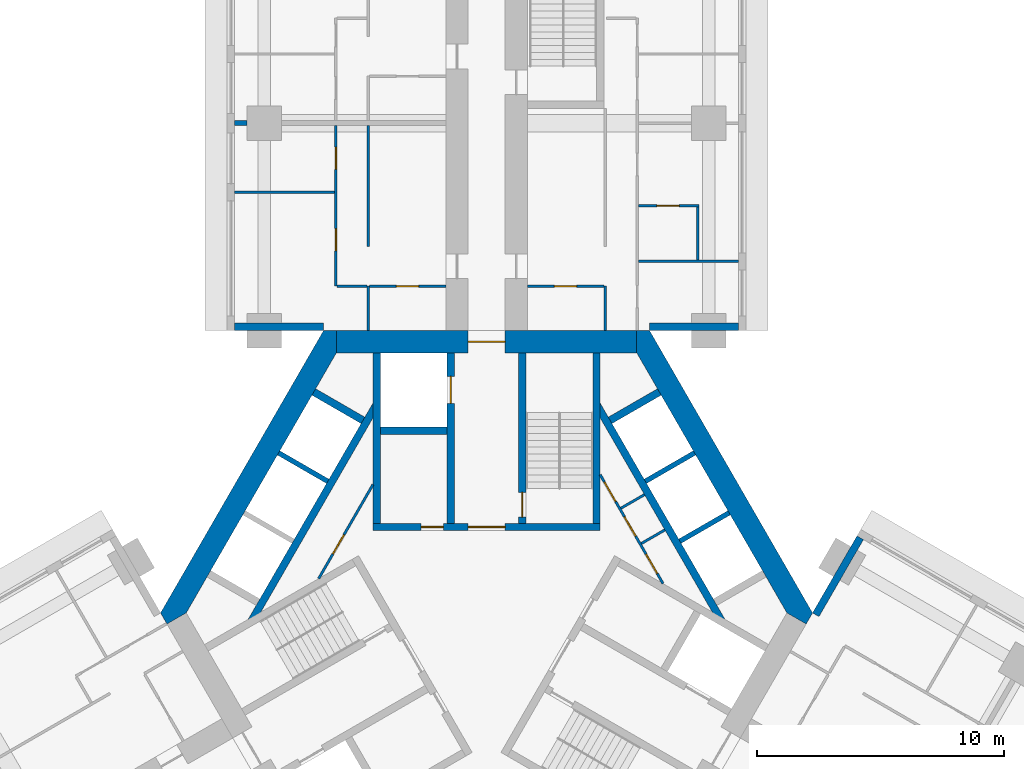
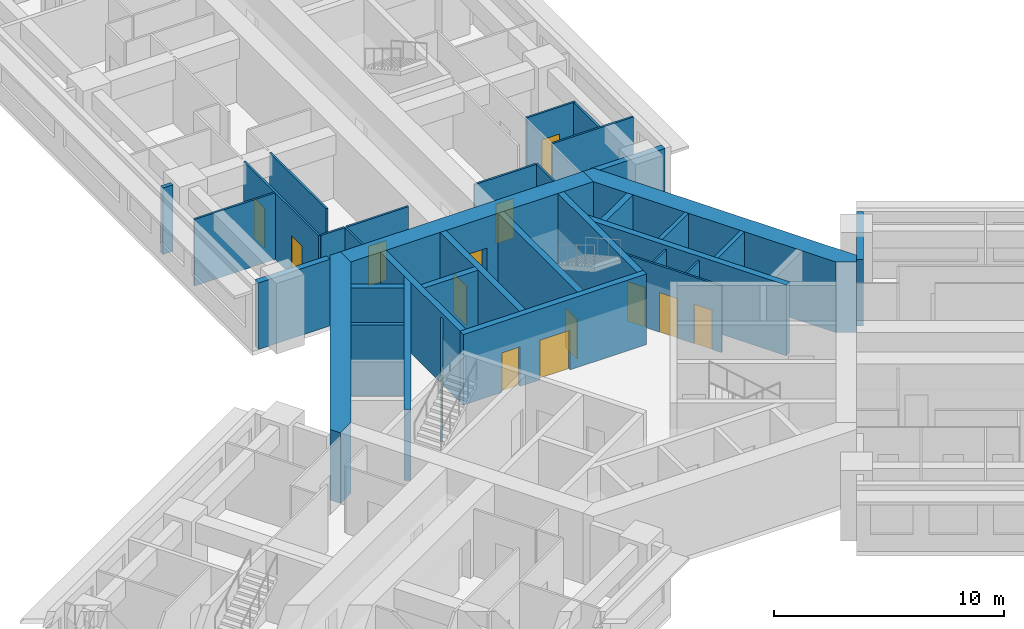
# One storey, part 8 of 16: 35 walls, 14 doors, 14 openings.
"""IFC4 building model written with IfcOpenShell, lengths in metres."""

from ifc_helpers import new_model, si_unit, direction, frame, frame_2d, origin, place, context, subcontext, project, spatial, polyline, rectangle, outline, extrude, material, layer, layer_set, type_object, element, fill, save


model = new_model("IFC4")

# Units and contexts
model_context = context("Model", 3, precision=1e-05, world=origin(), true_north=direction((0.0, 1.0)))
body_context = subcontext(model_context, "Body", "Model", "MODEL_VIEW")
ifc_project = project(units=[si_unit("LENGTHUNIT", "METRE"), si_unit("AREAUNIT", "SQUARE_METRE"), si_unit("VOLUMEUNIT", "CUBIC_METRE"), si_unit("PLANEANGLEUNIT", "RADIAN"), si_unit("MASSUNIT", "GRAM", prefix="KILO")], contexts=[model_context])

# Site, building, storey
site_placement = place(None, origin())
site = spatial("IfcSite", under=ifc_project, at=site_placement, CompositionType="ELEMENT")
building_placement = place(site_placement, origin())
building = spatial("IfcBuilding", under=site, at=building_placement, Name="Impinga Residences", CompositionType="ELEMENT")
storey_placement = place(building_placement, frame((0.0, 0.0, 56.0)))
storey = spatial("IfcBuildingStorey", under=building, at=storey_placement, Name="L13", CompositionType="ELEMENT", Elevation=56.0)

# Wall, openings, doors
ifc_material_1 = material(Name="Concrete blockwork", Category="masonry")
ifc_layer_1 = layer(ifc_material_1, 0.10009765625)
ifc_layer_set_1 = layer_set([ifc_layer_1], Name="CP1 core room partition, blockwork 100")
wall_type_1 = type_object("IfcWallType", Name="CP1 core room partition, blockwork 100", PredefinedType="PARTITIONING", material=ifc_layer_set_1)
wall_1_placement = place(storey_placement, frame((4.60009765625, 5.595703125, 0.0), z_axis=(0.0, 0.0, 1.0), x_axis=(0.499975622669, -0.866039477586, 0.0)))
wall_1 = element("IfcWall", 1, at=wall_1_placement, inside=storey, type_object=wall_type_1, Name="Core room partition, blockwork L13:CORE:mid:FP", PredefinedType="PARTITIONING", context=body_context, shape_type="SweptSolid", body=[
    extrude(rectangle(XDim=5.092041015625, YDim=0.10009765625, at=frame_2d((2.5458984375, 0.0))), origin(), (0.0, 0.0, 1.0), 3.530029296875),
])
opening_1_placement = place(wall_1_placement, frame((0.347900390625, 0.0, 0.0)))
opening_1 = element("IfcOpeningElement", 2, at=opening_1_placement, cuts=wall_1, Name="Opening D6", PredefinedType="OPENING", context=body_context, shape_type="SweptSolid", body=[
    extrude(rectangle(XDim=0.89990234375, YDim=2.10009765625, at=frame_2d((0.449951171875, 1.050048828125))), frame((0.0, 0.06005859375, 0.0), z_axis=(0.0, -1.0, 0.0), x_axis=(1.0, 0.0, 0.0)), (0.0, 0.0, 1.0), 0.1201171875),
])
opening_2_placement = place(wall_1_placement, frame((1.970947265625, 0.0, 0.0)))
opening_2 = element("IfcOpeningElement", 3, at=opening_2_placement, cuts=wall_1, Name="Opening D6", PredefinedType="OPENING", context=body_context, shape_type="SweptSolid", body=[
    extrude(rectangle(XDim=0.89990234375, YDim=2.10009765625, at=frame_2d((0.449951171875, 1.050048828125))), frame((0.0, 0.06005859375, 0.0), z_axis=(0.0, -1.0, 0.0), x_axis=(1.0, 0.0, 0.0)), (0.0, 0.0, 1.0), 0.1201171875),
])
opening_3_placement = place(wall_1_placement, frame((3.718994140625, 0.0, 0.0)))
opening_3 = element("IfcOpeningElement", 4, at=opening_3_placement, cuts=wall_1, Name="Opening D6", PredefinedType="OPENING", context=body_context, shape_type="SweptSolid", body=[
    extrude(rectangle(XDim=0.89990234375, YDim=2.10009765625, at=frame_2d((0.449951171875, 1.050048828125))), frame((0.0, 0.06005859375, 0.0), z_axis=(0.0, -1.0, 0.0), x_axis=(1.0, 0.0, 0.0)), (0.0, 0.0, 1.0), 0.1201171875),
])
ifc_material_2 = material(Name="Timber door set", Category="wood")
door_type_1 = type_object("IfcDoorType", Name="D6 riser and store door 900x2100", OperationType="SINGLE_SWING_LEFT", PredefinedType="DOOR", material=ifc_material_2)
door_1_placement = place(opening_1_placement, origin())
door_1 = element("IfcDoor", 5, at=door_1_placement, inside=storey, type_object=door_type_1, Name="Comms cupboard door", OperationType="SINGLE_SWING_LEFT", OverallHeight=2.10009765625, OverallWidth=0.89990234375, PredefinedType="DOOR", context=body_context, shape_type="SweptSolid", body=[
    extrude(rectangle(XDim=0.89990234375, YDim=2.10009765625, at=frame_2d((0.449951171875, 1.050048828125))), frame((0.0, 0.02490234375, 0.0), z_axis=(0.0, -1.0, 0.0), x_axis=(1.0, 0.0, 0.0)), (0.0, 0.0, 1.0), 0.050048828125),
])
fill(opening_1, door_1)
door_2_placement = place(opening_2_placement, origin())
door_2 = element("IfcDoor", 6, at=door_2_placement, inside=storey, type_object=door_type_1, Name="Refuse room door", OperationType="SINGLE_SWING_LEFT", OverallHeight=2.10009765625, OverallWidth=0.89990234375, PredefinedType="DOOR", context=body_context, shape_type="SweptSolid", body=[
    extrude(rectangle(XDim=0.89990234375, YDim=2.10009765625, at=frame_2d((0.449951171875, 1.050048828125))), frame((0.0, 0.02490234375, 0.0), z_axis=(0.0, -1.0, 0.0), x_axis=(1.0, 0.0, 0.0)), (0.0, 0.0, 1.0), 0.050048828125),
])
fill(opening_2, door_2)
door_3_placement = place(opening_3_placement, origin())
door_3 = element("IfcDoor", 7, at=door_3_placement, inside=storey, type_object=door_type_1, Name="Cleaners' store door", OperationType="SINGLE_SWING_RIGHT", OverallHeight=2.10009765625, OverallWidth=0.89990234375, PredefinedType="DOOR", context=body_context, shape_type="SweptSolid", body=[
    extrude(rectangle(XDim=0.89990234375, YDim=2.10009765625, at=frame_2d((0.449951171875, 1.050048828125))), frame((0.0, 0.02490234375, 0.0), z_axis=(0.0, -1.0, 0.0), x_axis=(1.0, 0.0, 0.0)), (0.0, 0.0, 1.0), 0.050048828125),
])
fill(opening_3, door_3)

# Walls
for number, where, z_axis, x_axis, name in (
    (8, (5.441162109375, 4.238525390625, 0.0), (0.0, 0.0, 1.0), (0.866008176907, 0.50002983664, 0.0), "Core room partition, blockwork L13:CORE:mid:FS1"),
    (9, (6.266357421875, 2.8095703125, 0.0), (0.0, 0.0, 1.0), (0.866008176907, 0.50002983664, 0.0), "Core room partition, blockwork L13:CORE:mid:FS2"),
):
    element("IfcWall", number, at=place(storey_placement, frame(where, z_axis=z_axis, x_axis=x_axis)), inside=storey, type_object=wall_type_1, Name=name, PredefinedType="PARTITIONING", context=body_context, shape_type="SweptSolid", body=[
        extrude(rectangle(XDim=1.10009765625, YDim=0.10009765625, at=frame_2d((0.550048828125, 0.0))), origin(), (0.0, 0.0, 1.0), 3.530029296875),
    ])

# Wall, opening, door
wall_2_placement = place(storey_placement, frame((-6.799560546875, 1.385986328125, 0.0), z_axis=(0.0, 0.0, 1.0), x_axis=(0.500001098885, 0.866024769342, 0.0)))
wall_2 = element("IfcWall", 10, at=wall_2_placement, inside=storey, type_object=wall_type_1, Name="Core room partition, blockwork L13:CORE:high:FP", PredefinedType="PARTITIONING", context=body_context, shape_type="SweptSolid", body=[
    extrude(rectangle(XDim=4.39892578125, YDim=0.10009765625, at=frame_2d((2.199462890625, 0.0))), origin(), (0.0, 0.0, 1.0), 3.530029296875),
])
opening_4_placement = place(wall_2_placement, frame((1.149658203125, 0.0, 0.0)))
opening_4 = element("IfcOpeningElement", 11, at=opening_4_placement, cuts=wall_2, Name="Opening D6", PredefinedType="OPENING", context=body_context, shape_type="SweptSolid", body=[
    extrude(rectangle(XDim=0.89990234375, YDim=2.10009765625, at=frame_2d((0.449951171875, 1.050048828125))), frame((0.0, 0.06005859375, 0.0), z_axis=(0.0, -1.0, 0.0), x_axis=(1.0, 0.0, 0.0)), (0.0, 0.0, 1.0), 0.1201171875),
])
door_4_placement = place(opening_4_placement, origin())
door_4 = element("IfcDoor", 12, at=door_4_placement, inside=storey, type_object=door_type_1, Name="Vending and ice room door", OperationType="SINGLE_SWING_LEFT", OverallHeight=2.10009765625, OverallWidth=0.89990234375, PredefinedType="DOOR", context=body_context, shape_type="SweptSolid", body=[
    extrude(rectangle(XDim=0.89990234375, YDim=2.10009765625, at=frame_2d((0.449951171875, 1.050048828125))), frame((0.0, 0.02490234375, 0.0), z_axis=(0.0, -1.0, 0.0), x_axis=(1.0, 0.0, 0.0)), (0.0, 0.0, 1.0), 0.050048828125),
])
fill(opening_4, door_4)

# Walls
ifc_material_3 = material(Name="Terracotta rainscreen on blockwork", Category="masonry")
ifc_layer_2 = layer(ifc_material_3, 0.300048828125)
ifc_layer_set_2 = layer_set([ifc_layer_2], Name="EW1 external wall, terracotta rainscreen on blockwork 300")
wall_type_2 = type_object("IfcWallType", Name="EW1 external wall, terracotta rainscreen on blockwork 300", PredefinedType="SOLIDWALL", material=ifc_layer_set_2)
for number, where, z_axis, x_axis, name in (
    (13, (-6.60009765625, 11.58154296875, 0.0), (0.0, 0.0, 1.0), (-1.0, 0.0, 0.0), "External wall EW1 L13"),
    (14, (10.199951171875, 11.58154296875, 0.0), (0.0, 0.0, 1.0), (-1.0, 0.0, 0.0), "External wall EW1 L13"),
):
    element("IfcWall", number, at=place(storey_placement, frame(where, z_axis=z_axis, x_axis=x_axis)), inside=storey, type_object=wall_type_2, Name=name, PredefinedType="SOLIDWALL", context=body_context, shape_type="SweptSolid", body=[
        extrude(rectangle(XDim=3.599853515625, YDim=0.300048828125, at=frame_2d((1.7998046875, 0.0))), origin(), (0.0, 0.0, 1.0), 3.530029296875),
    ])
wall_3_placement = place(storey_placement, frame((13.329833984375, -0.074951171875, 0.0), z_axis=(0.0, 0.0, 1.0), x_axis=(0.500012057535, 0.866018442252, 0.0)))
element("IfcWall", 15, at=wall_3_placement, inside=storey, type_object=wall_type_2, Name="External wall EW1 L13", PredefinedType="SOLIDWALL", context=body_context, shape_type="SweptSolid", body=[
    extrude(rectangle(XDim=3.60009765625, YDim=0.300048828125, at=frame_2d((1.800048828125, 0.0))), origin(), (0.0, 0.0, 1.0), 3.530029296875),
])
ifc_material_4 = material(Name="Gypsum board on steel studs", Category="steel")
ifc_layer_3 = layer(ifc_material_4, 0.10009765625)
ifc_layer_set_3 = layer_set([ifc_layer_3], Name="Gypsum board on steel studs")
wall_type_3 = type_object("IfcWallType", Name="IP1 partition 100", PredefinedType="PARTITIONING", material=ifc_layer_set_3)
wall_4_placement = place(storey_placement, frame((-4.800048828125, 11.431640625, 0.0), z_axis=(0.0, 0.0, 1.0), x_axis=(0.0, 1.0, 0.0)))
element("IfcWall", 16, at=wall_4_placement, inside=storey, type_object=wall_type_3, Name="Partition L13-NA1:DIV0", PredefinedType="PARTITIONING", context=body_context, shape_type="SweptSolid", body=[
    extrude(rectangle(XDim=1.7998046875, YDim=0.10009765625, at=frame_2d((0.89990234375, 0.0))), origin(), (0.0, 0.0, 1.0), 3.530029296875),
])
wall_5_placement = place(storey_placement, frame((-4.800048828125, 14.83154296875, 0.0), z_axis=(0.0, 0.0, 1.0), x_axis=(0.0, 1.0, 0.0)))
element("IfcWall", 17, at=wall_5_placement, inside=storey, type_object=wall_type_3, Name="Partition L13-NA1:DIV1", PredefinedType="PARTITIONING", context=body_context, shape_type="SweptSolid", body=[
    extrude(rectangle(XDim=4.89990234375, YDim=0.10009765625, at=frame_2d((2.449951171875, 0.0))), origin(), (0.0, 0.0, 1.0), 3.530029296875),
])

# Wall, openings, doors
wall_6_placement = place(storey_placement, frame((-6.10009765625, 13.2314453125, 0.0), z_axis=(0.0, 0.0, 1.0), x_axis=(0.0, 1.0, 0.0)))
wall_6 = element("IfcWall", 18, at=wall_6_placement, inside=storey, type_object=wall_type_3, Name="Partition L13-NA1:STRIP", PredefinedType="PARTITIONING", context=body_context, shape_type="SweptSolid", body=[
    extrude(rectangle(XDim=6.5, YDim=0.10009765625, at=frame_2d((3.25, 0.0))), origin(), (0.0, 0.0, 1.0), 3.530029296875),
])
opening_5_placement = place(wall_6_placement, frame((1.425048828125, 0.0, 0.0)))
opening_5 = element("IfcOpeningElement", 19, at=opening_5_placement, cuts=wall_6, Name="Opening D2", PredefinedType="OPENING", context=body_context, shape_type="SweptSolid", body=[
    extrude(rectangle(XDim=0.89990234375, YDim=2.10009765625, at=frame_2d((0.449951171875, 1.050048828125))), frame((0.0, 0.06005859375, 0.0), z_axis=(0.0, -1.0, 0.0), x_axis=(1.0, 0.0, 0.0)), (0.0, 0.0, 1.0), 0.1201171875),
])
opening_6_placement = place(wall_6_placement, frame((4.72509765625, 0.0, 0.0)))
opening_6 = element("IfcOpeningElement", 20, at=opening_6_placement, cuts=wall_6, Name="Opening D2", PredefinedType="OPENING", context=body_context, shape_type="SweptSolid", body=[
    extrude(rectangle(XDim=0.89990234375, YDim=2.10009765625, at=frame_2d((0.449951171875, 1.050048828125))), frame((0.0, 0.06005859375, 0.0), z_axis=(0.0, -1.0, 0.0), x_axis=(1.0, 0.0, 0.0)), (0.0, 0.0, 1.0), 0.1201171875),
])
door_type_2 = type_object("IfcDoorType", Name="D2 internal door 900x2100", OperationType="SINGLE_SWING_LEFT", PredefinedType="DOOR", material=ifc_material_2)
door_5_placement = place(opening_5_placement, origin())
door_5 = element("IfcDoor", 21, at=door_5_placement, inside=storey, type_object=door_type_2, Name="Apartment L13-NA1 room door", OperationType="SINGLE_SWING_LEFT", OverallHeight=2.10009765625, OverallWidth=0.89990234375, PredefinedType="DOOR", context=body_context, shape_type="SweptSolid", body=[
    extrude(rectangle(XDim=0.89990234375, YDim=2.10009765625, at=frame_2d((0.449951171875, 1.050048828125))), frame((0.0, 0.02490234375, 0.0), z_axis=(0.0, -1.0, 0.0), x_axis=(1.0, 0.0, 0.0)), (0.0, 0.0, 1.0), 0.050048828125),
])
fill(opening_5, door_5)
door_6_placement = place(opening_6_placement, origin())
door_6 = element("IfcDoor", 22, at=door_6_placement, inside=storey, type_object=door_type_2, Name="Apartment L13-NA1 room door", OperationType="SINGLE_SWING_RIGHT", OverallHeight=2.10009765625, OverallWidth=0.89990234375, PredefinedType="DOOR", context=body_context, shape_type="SweptSolid", body=[
    extrude(rectangle(XDim=0.89990234375, YDim=2.10009765625, at=frame_2d((0.449951171875, 1.050048828125))), frame((0.0, 0.02490234375, 0.0), z_axis=(0.0, -1.0, 0.0), x_axis=(1.0, 0.0, 0.0)), (0.0, 0.0, 1.0), 0.050048828125),
])
fill(opening_6, door_6)

# Wall
wall_7_placement = place(storey_placement, frame((-4.85009765625, 13.2314453125, 0.0), z_axis=(0.0, 0.0, 1.0), x_axis=(-1.0, 0.0, 0.0)))
element("IfcWall", 23, at=wall_7_placement, inside=storey, type_object=wall_type_3, Name="Partition L13-NA1:SE0", PredefinedType="PARTITIONING", context=body_context, shape_type="SweptSolid", body=[
    extrude(rectangle(XDim=1.199951171875, YDim=0.10009765625, at=frame_2d((0.60009765625, 0.0))), origin(), (0.0, 0.0, 1.0), 3.530029296875),
])

# Wall, opening, door
wall_8_placement = place(storey_placement, frame((-1.64990234375, 13.2314453125, 0.0), z_axis=(0.0, 0.0, 1.0), x_axis=(-1.0, 0.0, 0.0)))
wall_8 = element("IfcWall", 24, at=wall_8_placement, inside=storey, type_object=wall_type_3, Name="Partition L13-NA1:IB1", PredefinedType="PARTITIONING", context=body_context, shape_type="SweptSolid", body=[
    extrude(rectangle(XDim=3.10009765625, YDim=0.10009765625, at=frame_2d((1.550048828125, 0.0))), origin(), (0.0, 0.0, 1.0), 3.530029296875),
])
opening_7_placement = place(wall_8_placement, frame((1.10009765625, 0.0, 0.0)))
opening_7 = element("IfcOpeningElement", 25, at=opening_7_placement, cuts=wall_8, Name="Opening D2", PredefinedType="OPENING", context=body_context, shape_type="SweptSolid", body=[
    extrude(rectangle(XDim=0.89990234375, YDim=2.10009765625, at=frame_2d((0.449951171875, 1.050048828125))), frame((0.0, 0.06005859375, 0.0), z_axis=(0.0, -1.0, 0.0), x_axis=(1.0, 0.0, 0.0)), (0.0, 0.0, 1.0), 0.1201171875),
])
door_7_placement = place(opening_7_placement, origin())
door_7 = element("IfcDoor", 26, at=door_7_placement, inside=storey, type_object=door_type_2, Name="Apartment L13-NA1 bathroom door", OperationType="SINGLE_SWING_LEFT", OverallHeight=2.10009765625, OverallWidth=0.89990234375, PredefinedType="DOOR", context=body_context, shape_type="SweptSolid", body=[
    extrude(rectangle(XDim=0.89990234375, YDim=2.10009765625, at=frame_2d((0.449951171875, 1.050048828125))), frame((0.0, 0.02490234375, 0.0), z_axis=(0.0, -1.0, 0.0), x_axis=(1.0, 0.0, 0.0)), (0.0, 0.0, 1.0), 0.050048828125),
])
fill(opening_7, door_7)

# Walls
wall_9_placement = place(storey_placement, frame((-6.14990234375, 17.031494140625, 0.0), z_axis=(0.0, 0.0, 1.0), x_axis=(-1.0, 0.0, 0.0)))
element("IfcWall", 27, at=wall_9_placement, inside=storey, type_object=wall_type_3, Name="Partition L13-NA1:OB1", PredefinedType="PARTITIONING", context=body_context, shape_type="SweptSolid", body=[
    extrude(rectangle(XDim=4.050048828125, YDim=0.10009765625, at=frame_2d((2.02490234375, 0.0))), origin(), (0.0, 0.0, 1.0), 3.530029296875),
])
wall_10_placement = place(storey_placement, frame((4.800048828125, 11.431640625, 0.0), z_axis=(0.0, 0.0, 1.0), x_axis=(0.0, 1.0, 0.0)))
element("IfcWall", 28, at=wall_10_placement, inside=storey, type_object=wall_type_3, Name="Partition L13-NF1:DIV0", PredefinedType="PARTITIONING", context=body_context, shape_type="SweptSolid", body=[
    extrude(rectangle(XDim=1.7998046875, YDim=0.10009765625, at=frame_2d((0.89990234375, 0.0))), origin(), (0.0, 0.0, 1.0), 3.530029296875),
])

# Wall, opening, door
wall_11_placement = place(storey_placement, frame((1.64990234375, 13.2314453125, 0.0), z_axis=(0.0, 0.0, 1.0), x_axis=(1.0, 0.0, 0.0)))
wall_11 = element("IfcWall", 29, at=wall_11_placement, inside=storey, type_object=wall_type_3, Name="Partition L13-NF1:IB1", PredefinedType="PARTITIONING", context=body_context, shape_type="SweptSolid", body=[
    extrude(rectangle(XDim=3.10009765625, YDim=0.10009765625, at=frame_2d((1.550048828125, 0.0))), origin(), (0.0, 0.0, 1.0), 3.530029296875),
])
opening_8_placement = place(wall_11_placement, frame((1.10009765625, 0.0, 0.0)))
opening_8 = element("IfcOpeningElement", 30, at=opening_8_placement, cuts=wall_11, Name="Opening D2", PredefinedType="OPENING", context=body_context, shape_type="SweptSolid", body=[
    extrude(rectangle(XDim=0.89990234375, YDim=2.10009765625, at=frame_2d((0.449951171875, 1.050048828125))), frame((0.0, 0.06005859375, 0.0), z_axis=(0.0, -1.0, 0.0), x_axis=(1.0, 0.0, 0.0)), (0.0, 0.0, 1.0), 0.1201171875),
])
door_8_placement = place(opening_8_placement, origin())
door_8 = element("IfcDoor", 31, at=door_8_placement, inside=storey, type_object=door_type_2, Name="Apartment L13-NF1 bathroom door", OperationType="SINGLE_SWING_LEFT", OverallHeight=2.10009765625, OverallWidth=0.89990234375, PredefinedType="DOOR", context=body_context, shape_type="SweptSolid", body=[
    extrude(rectangle(XDim=0.89990234375, YDim=2.10009765625, at=frame_2d((0.449951171875, 1.050048828125))), frame((0.0, 0.02490234375, 0.0), z_axis=(0.0, -1.0, 0.0), x_axis=(1.0, 0.0, 0.0)), (0.0, 0.0, 1.0), 0.050048828125),
])
fill(opening_8, door_8)

# Wall
wall_12_placement = place(storey_placement, frame((6.14990234375, 14.2314453125, 0.0), z_axis=(0.0, 0.0, 1.0), x_axis=(1.0, 0.0, 0.0)))
element("IfcWall", 32, at=wall_12_placement, inside=storey, type_object=wall_type_3, Name="Partition L13-NF1:OB1", PredefinedType="PARTITIONING", context=body_context, shape_type="SweptSolid", body=[
    extrude(rectangle(XDim=4.050048828125, YDim=0.10009765625, at=frame_2d((2.02490234375, 0.0))), origin(), (0.0, 0.0, 1.0), 3.530029296875),
])

# Wall, opening, door
wall_13_placement = place(storey_placement, frame((6.14990234375, 16.4814453125, 0.0), z_axis=(0.0, 0.0, 1.0), x_axis=(1.0, 0.0, 0.0)))
wall_13 = element("IfcWall", 33, at=wall_13_placement, inside=storey, type_object=wall_type_3, Name="Partition L13-NF1:EN1", PredefinedType="PARTITIONING", context=body_context, shape_type="SweptSolid", body=[
    extrude(rectangle(XDim=2.4501953125, YDim=0.10009765625, at=frame_2d((1.22509765625, 0.0))), origin(), (0.0, 0.0, 1.0), 3.530029296875),
])
opening_9_placement = place(wall_13_placement, frame((0.75, 0.0, 0.0)))
opening_9 = element("IfcOpeningElement", 34, at=opening_9_placement, cuts=wall_13, Name="Opening D2", PredefinedType="OPENING", context=body_context, shape_type="SweptSolid", body=[
    extrude(rectangle(XDim=0.89990234375, YDim=2.10009765625, at=frame_2d((0.449951171875, 1.050048828125))), frame((0.0, 0.06005859375, 0.0), z_axis=(0.0, -1.0, 0.0), x_axis=(1.0, 0.0, 0.0)), (0.0, 0.0, 1.0), 0.1201171875),
])
door_9_placement = place(opening_9_placement, origin())
door_9 = element("IfcDoor", 35, at=door_9_placement, inside=storey, type_object=door_type_2, Name="Apartment L13-NF1 en-suite door", OperationType="SINGLE_SWING_LEFT", OverallHeight=2.10009765625, OverallWidth=0.89990234375, PredefinedType="DOOR", context=body_context, shape_type="SweptSolid", body=[
    extrude(rectangle(XDim=0.89990234375, YDim=2.10009765625, at=frame_2d((0.449951171875, 1.050048828125))), frame((0.0, 0.02490234375, 0.0), z_axis=(0.0, -1.0, 0.0), x_axis=(1.0, 0.0, 0.0)), (0.0, 0.0, 1.0), 0.050048828125),
])
fill(opening_9, door_9)

# Walls
wall_14_placement = place(storey_placement, frame((8.550048828125, 14.281494140625, 0.0), z_axis=(0.0, 0.0, 1.0), x_axis=(0.0, 1.0, 0.0)))
element("IfcWall", 36, at=wall_14_placement, inside=storey, type_object=wall_type_3, Name="Partition L13-NF1:EN2", PredefinedType="PARTITIONING", context=body_context, shape_type="SweptSolid", body=[
    extrude(rectangle(XDim=2.150146484375, YDim=0.10009765625, at=frame_2d((1.0751953125, 0.0))), origin(), (0.0, 0.0, 1.0), 3.530029296875),
])
ifc_layer_4 = layer(ifc_material_1, 0.199951171875)
ifc_layer_set_4 = layer_set([ifc_layer_4], Name="PW1 party wall between apartments 200")
wall_type_4 = type_object("IfcWallType", Name="PW1 party wall between apartments 200", PredefinedType="SOLIDWALL", material=ifc_layer_set_4)
wall_15_placement = place(storey_placement, frame((-9.699951171875, 19.83154296875, 0.0), z_axis=(0.0, 0.0, 1.0), x_axis=(-1.0, 0.0, 0.0)))
element("IfcWall", 37, at=wall_15_placement, inside=storey, type_object=wall_type_4, Name="Party wall between apartments L13-NA1:PARTYb", PredefinedType="SOLIDWALL", context=body_context, shape_type="SweptSolid", body=[
    extrude(rectangle(XDim=0.5, YDim=0.199951171875, at=frame_2d((0.25, 0.0))), origin(), (0.0, 0.0, 1.0), 3.530029296875),
])

# Wall, opening, door
ifc_material_5 = material(Name="Concrete C70/85", Category="concrete")
ifc_layer_5 = layer(ifc_material_5, 0.89990234375)
ifc_layer_set_5 = layer_set([ifc_layer_5], Name="Concrete C70/85")
wall_type_5 = type_object("IfcWallType", Name="SW1 core wall 900", PredefinedType="SHEAR", material=ifc_layer_set_5)
wall_16_placement = place(storey_placement, frame((-6.080322265625, 10.9814453125, 0.0), z_axis=(0.0, 0.0, 1.0), x_axis=(1.0, 0.0, 0.0)))
wall_16 = element("IfcWall", 38, at=wall_16_placement, inside=storey, type_object=wall_type_5, Name="Core wall SW1 N:FACE L13", PredefinedType="SHEAR", context=body_context, shape_type="SweptSolid", body=[
    extrude(rectangle(XDim=12.16064453125, YDim=0.89990234375, at=frame_2d((6.080322265625, 0.0))), origin(), (0.0, 0.0, 1.0), 3.75),
])
opening_10_placement = place(wall_16_placement, frame((5.330322265625, 0.0, 0.0)))
opening_10 = element("IfcOpeningElement", 39, at=opening_10_placement, cuts=wall_16, Name="Opening D4", PredefinedType="OPENING", context=body_context, shape_type="SweptSolid", body=[
    extrude(rectangle(XDim=1.5, YDim=2.10009765625, at=frame_2d((0.75, 1.050048828125))), frame((0.0, 0.4599609375, 0.0), z_axis=(0.0, -1.0, 0.0), x_axis=(1.0, 0.0, 0.0)), (0.0, 0.0, 1.0), 0.919921875),
])
door_type_3 = type_object("IfcDoorType", Name="D4 lobby door pair 1500x2100", OperationType="DOUBLE_DOOR_DOUBLE_SWING", PredefinedType="DOOR", material=ifc_material_2)
door_10_placement = place(opening_10_placement, origin())
door_10 = element("IfcDoor", 40, at=door_10_placement, inside=storey, type_object=door_type_3, Name="Lobby door N", OperationType="DOUBLE_DOOR_DOUBLE_SWING", OverallHeight=2.10009765625, OverallWidth=1.5, PredefinedType="DOOR", context=body_context, shape_type="SweptSolid", body=[
    extrude(rectangle(XDim=1.5, YDim=2.10009765625, at=frame_2d((0.75, 1.050048828125))), frame((0.0, 0.02490234375, 0.0), z_axis=(0.0, -1.0, 0.0), x_axis=(1.0, 0.0, 0.0)), (0.0, 0.0, 1.0), 0.050048828125),
])
fill(opening_10, door_10)

# Walls
wall_17_placement = place(storey_placement, origin())
element("IfcWall", 41, at=wall_17_placement, inside=storey, type_object=wall_type_5, Name="Core wall SW1 W:EXPOSED L13", PredefinedType="SHEAR", context=body_context, shape_type="SweptSolid", body=[
    extrude(outline(polyline([(13.199951171875, 0.0), (6.60009765625, 11.431640625), (6.080322265625, 11.431640625), (6.080322265625, 10.531494140625), (12.160888671875, 0.0), (12.940185546875, -0.449951171875), (13.199951171875, 0.0)])), origin(), (0.0, 0.0, 1.0), 3.75),
])
wall_18_placement = place(storey_placement, origin())
element("IfcWall", 42, at=wall_18_placement, inside=storey, type_object=wall_type_5, Name="Core wall SW1 E:EXPOSED L13", PredefinedType="SHEAR", context=body_context, shape_type="SweptSolid", body=[
    extrude(outline(polyline([(-6.60009765625, 11.431640625), (-13.199951171875, 0.0), (-12.940185546875, -0.449951171875), (-12.160888671875, 0.0), (-6.080322265625, 10.531494140625), (-6.080322265625, 11.431640625), (-6.60009765625, 11.431640625)])), origin(), (0.0, 0.0, 1.0), 3.75),
])

# Wall, openings, doors
ifc_layer_6 = layer(ifc_material_5, 0.300048828125)
ifc_layer_set_6 = layer_set([ifc_layer_6], Name="Concrete C70/85")
wall_type_6 = type_object("IfcWallType", Name="SW5 core inner wall, stairs, shafts and lobbies 300", PredefinedType="SHEAR", material=ifc_layer_set_6)
wall_19_placement = place(storey_placement, frame((-4.60009765625, 3.47998046875, 0.0), z_axis=(0.0, 0.0, 1.0), x_axis=(1.0, 0.0, 0.0)))
wall_19 = element("IfcWall", 43, at=wall_19_placement, inside=storey, type_object=wall_type_6, Name="Core wall SW5 N:ZONE L13", PredefinedType="SHEAR", context=body_context, shape_type="SweptSolid", body=[
    extrude(rectangle(XDim=9.2001953125, YDim=0.300048828125, at=frame_2d((4.60009765625, 0.0))), origin(), (0.0, 0.0, 1.0), 3.75),
])
opening_11_placement = place(wall_19_placement, frame((3.85009765625, 0.0, 0.0)))
opening_11 = element("IfcOpeningElement", 44, at=opening_11_placement, cuts=wall_19, Name="Opening D4", PredefinedType="OPENING", context=body_context, shape_type="SweptSolid", body=[
    extrude(rectangle(XDim=1.5, YDim=2.10009765625, at=frame_2d((0.75, 1.050048828125))), frame((0.0, 0.159912109375, 0.0), z_axis=(0.0, -1.0, 0.0), x_axis=(1.0, 0.0, 0.0)), (0.0, 0.0, 1.0), 0.320068359375),
])
opening_12_placement = place(wall_19_placement, frame((1.949951171875, 0.0, 0.0)))
opening_12 = element("IfcOpeningElement", 45, at=opening_12_placement, cuts=wall_19, Name="Opening D6", PredefinedType="OPENING", context=body_context, shape_type="SweptSolid", body=[
    extrude(rectangle(XDim=0.89990234375, YDim=2.10009765625, at=frame_2d((0.449951171875, 1.050048828125))), frame((0.0, 0.159912109375, 0.0), z_axis=(0.0, -1.0, 0.0), x_axis=(1.0, 0.0, 0.0)), (0.0, 0.0, 1.0), 0.320068359375),
])
door_11_placement = place(opening_11_placement, origin())
door_11 = element("IfcDoor", 46, at=door_11_placement, inside=storey, type_object=door_type_3, Name="Firefighting lobby door N", OperationType="DOUBLE_DOOR_DOUBLE_SWING", OverallHeight=2.10009765625, OverallWidth=1.5, PredefinedType="DOOR", context=body_context, shape_type="SweptSolid", body=[
    extrude(rectangle(XDim=1.5, YDim=2.10009765625, at=frame_2d((0.75, 1.050048828125))), frame((0.0, 0.02490234375, 0.0), z_axis=(0.0, -1.0, 0.0), x_axis=(1.0, 0.0, 0.0)), (0.0, 0.0, 1.0), 0.050048828125),
])
fill(opening_11, door_11)
door_12_placement = place(opening_12_placement, origin())
door_12 = element("IfcDoor", 47, at=door_12_placement, inside=storey, type_object=door_type_1, Name="Riser door N", OperationType="SINGLE_SWING_LEFT", OverallHeight=2.10009765625, OverallWidth=0.89990234375, PredefinedType="DOOR", context=body_context, shape_type="SweptSolid", body=[
    extrude(rectangle(XDim=0.89990234375, YDim=2.10009765625, at=frame_2d((0.449951171875, 1.050048828125))), frame((0.0, 0.02490234375, 0.0), z_axis=(0.0, -1.0, 0.0), x_axis=(1.0, 0.0, 0.0)), (0.0, 0.0, 1.0), 0.050048828125),
])
fill(opening_12, door_12)

# Wall, opening, door
wall_20_placement = place(storey_placement, frame((1.449951171875, 3.6298828125, 0.0), z_axis=(0.0, 0.0, 1.0), x_axis=(0.0, 1.0, 0.0)))
wall_20 = element("IfcWall", 48, at=wall_20_placement, inside=storey, type_object=wall_type_6, Name="Core wall SW5 N:ST-IN L13", PredefinedType="SHEAR", context=body_context, shape_type="SweptSolid", body=[
    extrude(rectangle(XDim=6.901611328125, YDim=0.300048828125, at=frame_2d((3.45068359375, 0.0))), origin(), (0.0, 0.0, 1.0), 3.75),
])
opening_13_placement = place(wall_20_placement, frame((0.25, 0.0, 0.0)))
opening_13 = element("IfcOpeningElement", 49, at=opening_13_placement, cuts=wall_20, Name="Opening D5", PredefinedType="OPENING", context=body_context, shape_type="SweptSolid", body=[
    extrude(rectangle(XDim=1.0, YDim=2.10009765625, at=frame_2d((0.5, 1.050048828125))), frame((0.0, 0.159912109375, 0.0), z_axis=(0.0, -1.0, 0.0), x_axis=(1.0, 0.0, 0.0)), (0.0, 0.0, 1.0), 0.320068359375),
])
door_type_4 = type_object("IfcDoorType", Name="D5 stair door 1000x2100", OperationType="SINGLE_SWING_LEFT", PredefinedType="DOOR", material=ifc_material_2)
door_13_placement = place(opening_13_placement, origin())
door_13 = element("IfcDoor", 50, at=door_13_placement, inside=storey, type_object=door_type_4, Name="Stair door N", OperationType="SINGLE_SWING_LEFT", OverallHeight=2.10009765625, OverallWidth=1.0, PredefinedType="DOOR", context=body_context, shape_type="SweptSolid", body=[
    extrude(rectangle(XDim=1.0, YDim=2.10009765625, at=frame_2d((0.5, 1.050048828125))), frame((0.0, 0.02490234375, 0.0), z_axis=(0.0, -1.0, 0.0), x_axis=(1.0, 0.0, 0.0)), (0.0, 0.0, 1.0), 0.050048828125),
])
fill(opening_13, door_13)

# Wall
wall_21_placement = place(storey_placement, frame((4.449951171875, 3.6298828125, 0.0), z_axis=(0.0, 0.0, 1.0), x_axis=(0.0, 1.0, 0.0)))
element("IfcWall", 51, at=wall_21_placement, inside=storey, type_object=wall_type_6, Name="Core wall SW5 N:ST-OUT L13", PredefinedType="SHEAR", context=body_context, shape_type="SweptSolid", body=[
    extrude(rectangle(XDim=6.901611328125, YDim=0.300048828125, at=frame_2d((3.45068359375, 0.0))), origin(), (0.0, 0.0, 1.0), 3.75),
])

# Wall, opening, door
wall_22_placement = place(storey_placement, frame((-1.449951171875, 3.6298828125, 0.0), z_axis=(0.0, 0.0, 1.0), x_axis=(0.0, 1.0, 0.0)))
wall_22 = element("IfcWall", 52, at=wall_22_placement, inside=storey, type_object=wall_type_6, Name="Core wall SW5 N:FF-IN L13", PredefinedType="SHEAR", context=body_context, shape_type="SweptSolid", body=[
    extrude(rectangle(XDim=6.901611328125, YDim=0.300048828125, at=frame_2d((3.45068359375, 0.0))), origin(), (0.0, 0.0, 1.0), 3.75),
])
opening_14_placement = place(wall_22_placement, frame((4.85009765625, 0.0, 0.0)))
opening_14 = element("IfcOpeningElement", 53, at=opening_14_placement, cuts=wall_22, Name="Opening LD2", PredefinedType="OPENING", context=body_context, shape_type="SweptSolid", body=[
    extrude(rectangle(XDim=1.10009765625, YDim=2.10009765625, at=frame_2d((0.550048828125, 1.050048828125))), frame((0.0, 0.159912109375, 0.0), z_axis=(0.0, -1.0, 0.0), x_axis=(1.0, 0.0, 0.0)), (0.0, 0.0, 1.0), 0.320068359375),
])
ifc_material_6 = material(Name="Steel lift landing door", Category="steel")
door_type_5 = type_object("IfcDoorType", Name="LD2 firefighting lift landing door 1100x2100", OperationType="DOUBLE_DOOR_SLIDING", PredefinedType="DOOR", material=ifc_material_6)
door_14_placement = place(opening_14_placement, origin())
door_14 = element("IfcDoor", 54, at=door_14_placement, inside=storey, type_object=door_type_5, Name="Firefighting lift landing door F1", OperationType="DOUBLE_DOOR_SLIDING", OverallHeight=2.10009765625, OverallWidth=1.10009765625, PredefinedType="DOOR", context=body_context, shape_type="SweptSolid", body=[
    extrude(rectangle(XDim=1.10009765625, YDim=2.10009765625, at=frame_2d((0.550048828125, 1.050048828125))), frame((0.0, 0.02490234375, 0.0), z_axis=(0.0, -1.0, 0.0), x_axis=(1.0, 0.0, 0.0)), (0.0, 0.0, 1.0), 0.050048828125),
])
fill(opening_14, door_14)

# Walls
wall_23_placement = place(storey_placement, frame((-4.449951171875, 3.6298828125, 0.0), z_axis=(0.0, 0.0, 1.0), x_axis=(0.0, 1.0, 0.0)))
element("IfcWall", 55, at=wall_23_placement, inside=storey, type_object=wall_type_6, Name="Core wall SW5 N:FF-OUT L13", PredefinedType="SHEAR", context=body_context, shape_type="SweptSolid", body=[
    extrude(rectangle(XDim=6.901611328125, YDim=0.300048828125, at=frame_2d((3.45068359375, 0.0))), origin(), (0.0, 0.0, 1.0), 3.75),
])
wall_24_placement = place(storey_placement, frame((-4.300048828125, 7.3798828125, 0.0), z_axis=(0.0, 0.0, 1.0), x_axis=(1.0, 0.0, 0.0)))
element("IfcWall", 56, at=wall_24_placement, inside=storey, type_object=wall_type_6, Name="Core wall SW5 N:FF-RS L13", PredefinedType="SHEAR", context=body_context, shape_type="SweptSolid", body=[
    extrude(rectangle(XDim=2.699951171875, YDim=0.300048828125, at=frame_2d((1.35009765625, 0.0))), origin(), (0.0, 0.0, 1.0), 3.75),
])
wall_25_placement = place(storey_placement, frame((4.449951171875, 8.455322265625, 0.0), z_axis=(0.0, 0.0, 1.0), x_axis=(0.500002290144, -0.866024081565, 0.0)))
element("IfcWall", 57, at=wall_25_placement, inside=storey, type_object=wall_type_6, Name="Core wall SW5 W:BANK-FRONT L13", PredefinedType="SHEAR", context=body_context, shape_type="SweptSolid", body=[
    extrude(rectangle(XDim=10.1953125, YDim=0.300048828125, at=frame_2d((5.09765625, 0.0))), origin(), (0.0, 0.0, 1.0), 3.75),
])
wall_26_placement = place(storey_placement, frame((5.003662109375, 7.79638671875, 0.0), z_axis=(0.0, 0.0, 1.0), x_axis=(0.866053019151, 0.499952165731, 0.0)))
element("IfcWall", 58, at=wall_26_placement, inside=storey, type_object=wall_type_6, Name="Core wall SW5 W:BANK-L L13", PredefinedType="SHEAR", context=body_context, shape_type="SweptSolid", body=[
    extrude(rectangle(XDim=2.300048828125, YDim=0.300048828125, at=frame_2d((1.14990234375, 0.0))), origin(), (0.0, 0.0, 1.0), 3.75),
])
wall_27_placement = place(storey_placement, frame((-9.547607421875, -0.3740234375, 0.0), z_axis=(0.0, 0.0, 1.0), x_axis=(0.500002290144, 0.866024081565, 0.0)))
element("IfcWall", 59, at=wall_27_placement, inside=storey, type_object=wall_type_6, Name="Core wall SW5 E:BANK-FRONT L13", PredefinedType="SHEAR", context=body_context, shape_type="SweptSolid", body=[
    extrude(rectangle(XDim=10.1953125, YDim=0.300048828125, at=frame_2d((5.09765625, 0.0))), origin(), (0.0, 0.0, 1.0), 3.75),
])
wall_28_placement = place(storey_placement, frame((-5.003662109375, 7.79638671875, 0.0), z_axis=(0.0, 0.0, 1.0), x_axis=(-0.866053019151, 0.499952165731, 0.0)))
element("IfcWall", 60, at=wall_28_placement, inside=storey, type_object=wall_type_6, Name="Core wall SW5 E:BANK-R L13", PredefinedType="SHEAR", context=body_context, shape_type="SweptSolid", body=[
    extrude(rectangle(XDim=2.300048828125, YDim=0.300048828125, at=frame_2d((1.14990234375, 0.0))), origin(), (0.0, 0.0, 1.0), 3.75),
])
ifc_layer_7 = layer(ifc_material_5, 0.199951171875)
ifc_layer_set_7 = layer_set([ifc_layer_7], Name="Concrete C70/85")
wall_type_7 = type_object("IfcWallType", Name="SW6 lift shaft divider wall 200", PredefinedType="SHEAR", material=ifc_layer_set_7)
for number, where, z_axis, x_axis, name in (
    (61, (6.4287109375, 5.328125, 0.0), (0.0, 0.0, 1.0), (0.866007057882, 0.500031774688, 0.0), "Core wall SW6 W:BANK-D1 L13"),
    (62, (7.82861328125, 2.9033203125, 0.0), (0.0, 0.0, 1.0), (0.866053019151, 0.499952165731, 0.0), "Core wall SW6 W:BANK-D2 L13"),
    (63, (-6.4287109375, 5.328125, 0.0), (0.0, 0.0, 1.0), (-0.866007057882, 0.500031774688, 0.0), "Core wall SW6 E:BANK-D2 L13"),
):
    element("IfcWall", number, at=place(storey_placement, frame(where, z_axis=z_axis, x_axis=x_axis)), inside=storey, type_object=wall_type_7, Name=name, PredefinedType="SHEAR", context=body_context, shape_type="SweptSolid", body=[
        extrude(rectangle(XDim=2.300048828125, YDim=0.199951171875, at=frame_2d((1.14990234375, 0.0))), origin(), (0.0, 0.0, 1.0), 3.75),
    ])

save(model, "model.ifc")
